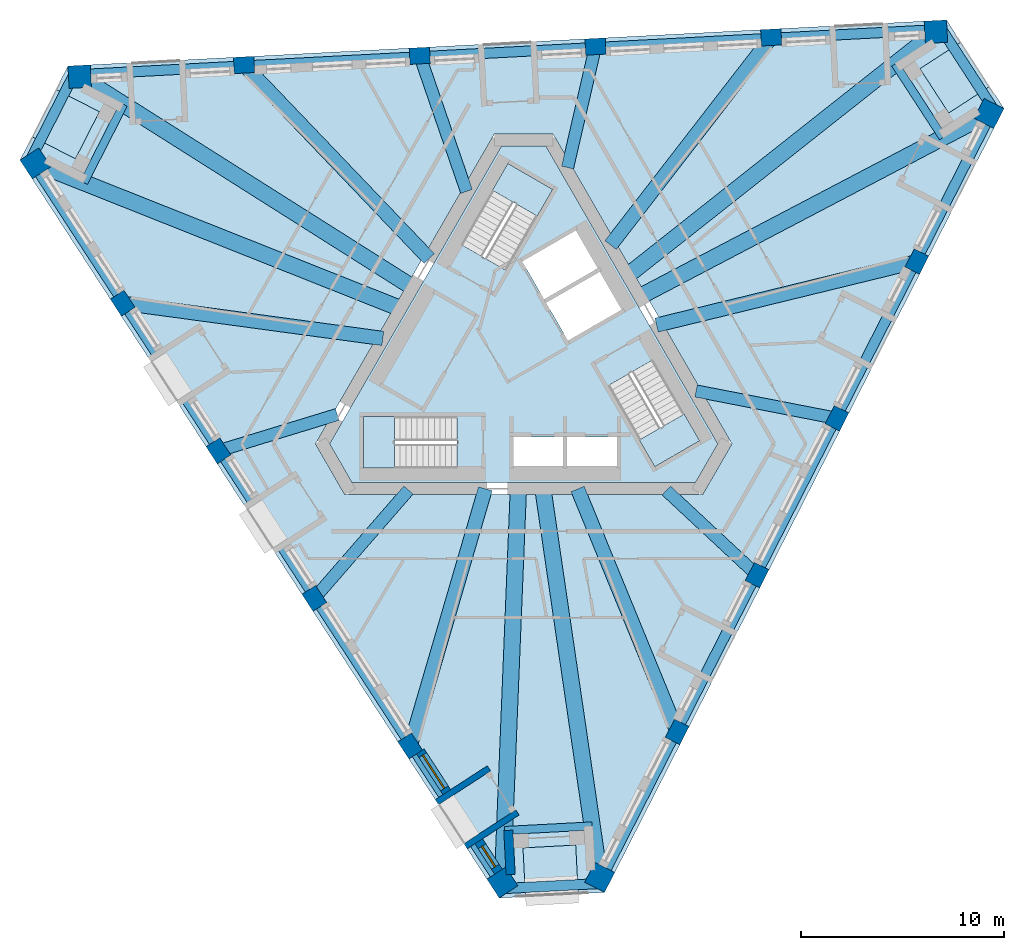
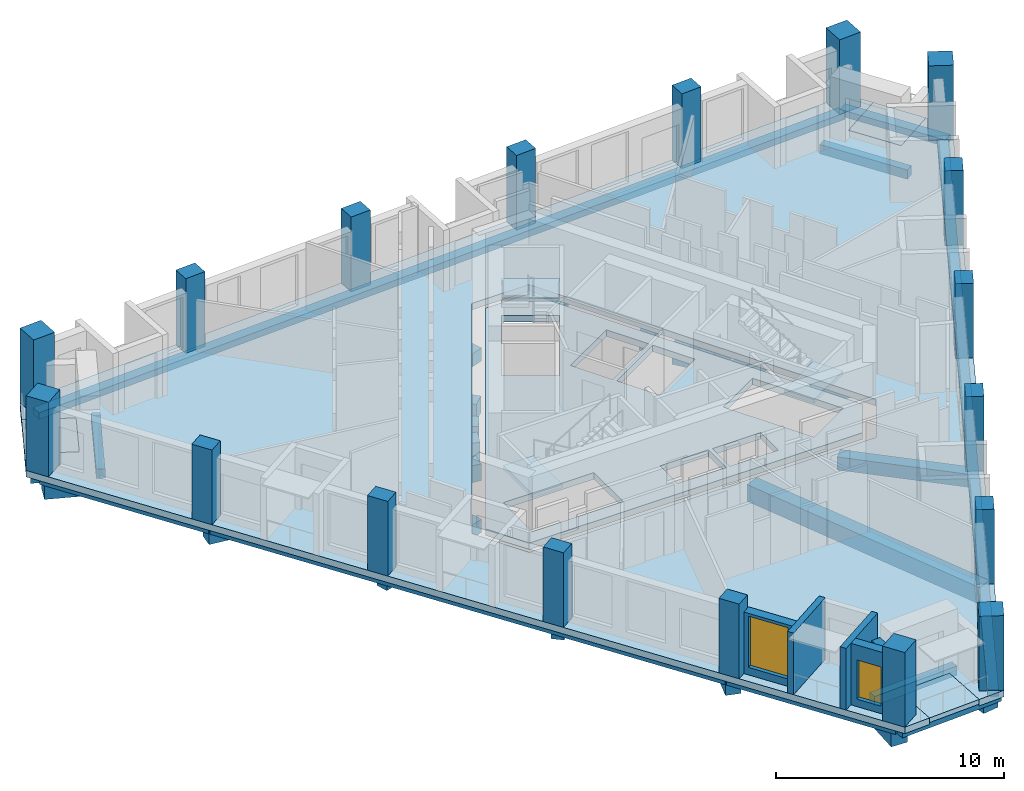
# One storey, part 1 of 12: 27 beams, 18 columns, 8 slabs, 5 walls, 2 windows, 2 openings, 3 elements without a shape of their own.
"""IFC4 building model written with IfcOpenShell, lengths in metres."""

from ifc_helpers import new_model, si_unit, direction, frame, frame_2d, origin, origin_2d, place, context, subcontext, project, spatial, polyline, rectangle, outline, extrude, material, layer, layer_set, material_profile, profile_set, type_object, element, fill, aggregate, save


model = new_model("IFC4")

# Units and contexts
model_context = context("Model", 3, precision=1e-05, world=origin(), true_north=direction((0.0, 1.0)))
body_context = subcontext(model_context, "Body", "Model", "MODEL_VIEW")
ifc_project = project(units=[si_unit("LENGTHUNIT", "METRE"), si_unit("AREAUNIT", "SQUARE_METRE"), si_unit("VOLUMEUNIT", "CUBIC_METRE"), si_unit("PLANEANGLEUNIT", "RADIAN"), si_unit("MASSUNIT", "GRAM", prefix="KILO")], contexts=[model_context])

# Site, building, storey
site_placement = place(None, origin())
site = spatial("IfcSite", under=ifc_project, at=site_placement, CompositionType="ELEMENT")
building_placement = place(site_placement, origin())
building = spatial("IfcBuilding", under=site, at=building_placement, Name="Tramontana Tower", CompositionType="ELEMENT")
storey_placement = place(building_placement, frame((0.0, 0.0, 282.39990234375)))
storey = spatial("IfcBuildingStorey", under=building, at=storey_placement, Name="L66", CompositionType="ELEMENT", Elevation=282.39990234375)

# Columns
ifc_material_1 = material(Name="Concrete 55 MPa", Category="concrete")
ifc_material_profile_1 = material_profile(ifc_material_1, rectangle(XDim=1.10009765625, YDim=1.10009765625, at=origin_2d()), Name="Mega column 1100X1100 55 MPa")
ifc_profile_set_1 = profile_set([ifc_material_profile_1], Name="Concrete 55 MPa")
column_type_1 = type_object("IfcColumnType", Name="Mega column 1100X1100 55 MPa", PredefinedType="COLUMN", material=ifc_profile_set_1)
for number, where, z_axis, x_axis, name in (
    (1, (-24.0302734375, 9.55419921875, 0.0), (0.0, 0.0, 1.0), (0.544639035015, -0.838670567945, 0.0), "Mega column C7K1 L66"),
    (2, (-1.0458984375, -25.8388671875, 0.0), (0.0, 0.0, 1.0), (0.544639035015, -0.838670567945, 0.0), "Mega column C7K2 L66"),
    (3, (3.740966796875, -25.587890625, 0.0), (0.0, 0.0, 1.0), (0.45399049974, 0.891006524188, 0.0), "Mega column C7K3 L66"),
    (4, (22.900146484375, 12.013671875, 0.0), (0.0, 0.0, 1.0), (0.45399049974, 0.891006524188, 0.0), "Mega column C7K4 L66"),
    (5, (20.289306640625, 16.033935546875, 0.0), (0.0, 0.0, 1.0), (-0.998629534755, -0.052335956243, 0.0), "Mega column C7K5 L66"),
    (6, (-21.854248046875, 13.8251953125, 0.0), (0.0, 0.0, 1.0), (-0.998629534755, -0.052335956243, 0.0), "Mega column C7K6 L66"),
):
    element("IfcColumn", number, at=place(storey_placement, frame(where, z_axis=z_axis, x_axis=x_axis)), inside=storey, type_object=column_type_1, Name=name, PredefinedType="COLUMN", context=body_context, shape_type="SweptSolid", body=[
        extrude(rectangle(XDim=1.10009765625, YDim=1.10009765625, at=origin_2d()), origin(), (0.0, 0.0, 1.0), 4.0),
    ])
ifc_material_2 = material(Name="Concrete 55 MPa", Category="concrete")
ifc_material_profile_2 = material_profile(ifc_material_2, rectangle(XDim=1.0, YDim=0.800048828125, at=origin_2d()), Name="Pier column 1000X800 55 MPa")
ifc_profile_set_2 = profile_set([ifc_material_profile_2], Name="Concrete 55 MPa")
column_type_2 = type_object("IfcColumnType", Name="Pier column 1000X800 55 MPa", PredefinedType="COLUMN", material=ifc_profile_set_2)
for number, where, z_axis, x_axis, name in (
    (7, (-19.739013671875, 2.670654296875, 0.0), (0.0, 0.0, 1.0), (0.544639035015, -0.838670567945, 0.0), "Pier column C7F01 L66"),
    (8, (-15.022216796875, -4.592529296875, 0.0), (0.0, 0.0, 1.0), (0.544639035015, -0.838670567945, 0.0), "Pier column C7F02 L66"),
    (9, (-10.3056640625, -11.855712890625, 0.0), (0.0, 0.0, 1.0), (0.544639035015, -0.838670567945, 0.0), "Pier column C7F03 L66"),
    (10, (-5.5888671875, -19.11865234375, 0.0), (0.0, 0.0, 1.0), (0.544639035015, -0.838670567945, 0.0), "Pier column C7F04 L66"),
    (11, (7.556640625, -18.4296875, 0.0), (0.0, 0.0, 1.0), (0.45399049974, 0.891006524188, 0.0), "Pier column C7F05 L66"),
    (12, (11.48828125, -10.71337890625, 0.0), (0.0, 0.0, 1.0), (0.45399049974, 0.891006524188, 0.0), "Pier column C7F06 L66"),
    (13, (15.419921875, -2.9970703125, 0.0), (0.0, 0.0, 1.0), (0.45399049974, 0.891006524188, 0.0), "Pier column C7F07 L66"),
    (14, (19.351806640625, 4.71923828125, 0.0), (0.0, 0.0, 1.0), (0.45399049974, 0.891006524188, 0.0), "Pier column C7F08 L66"),
    (15, (12.182373046875, 15.75927734375, 0.0), (0.0, 0.0, 1.0), (-0.998629534755, -0.052335956243, 0.0), "Pier column C7F09 L66"),
    (16, (3.533935546875, 15.305908203125, 0.0), (0.0, 0.0, 1.0), (-0.998629534755, -0.052335956243, 0.0), "Pier column C7F10 L66"),
    (17, (-5.114501953125, 14.852783203125, 0.0), (0.0, 0.0, 1.0), (-0.998629534755, -0.052335956243, 0.0), "Pier column C7F11 L66"),
    (18, (-13.762939453125, 14.3994140625, 0.0), (0.0, 0.0, 1.0), (-0.998629534755, -0.052335956243, 0.0), "Pier column C7F12 L66"),
):
    element("IfcColumn", number, at=place(storey_placement, frame(where, z_axis=z_axis, x_axis=x_axis)), inside=storey, type_object=column_type_2, Name=name, PredefinedType="COLUMN", context=body_context, shape_type="SweptSolid", body=[
        extrude(rectangle(XDim=1.0, YDim=0.800048828125, at=origin_2d()), origin(), (0.0, 0.0, 1.0), 4.0),
    ])

# Beams
ifc_material_3 = material(Name="Concrete 40 MPa", Category="concrete")
ifc_material_profile_3 = material_profile(ifc_material_3, rectangle(XDim=0.5, YDim=0.35009765625, at=origin_2d()), Name="RC EDGE BEAM 500X350 40 MPa")
ifc_profile_set_3 = profile_set([ifc_material_profile_3], Name="Concrete 40 MPa")
beam_type_1 = type_object("IfcBeamType", Name="RC EDGE BEAM 500X350 40 MPa", PredefinedType="SPANDREL", material=ifc_profile_set_3)
beam_1_placement = place(storey_placement, frame((-24.1142578125, 9.499755859375, -0.52490234375), z_axis=(0.544636517119, -0.838672203081, 0.0), x_axis=(0.838672203081, 0.544636517119, 0.0)))
element("IfcBeam", 19, at=beam_1_placement, inside=storey, type_object=beam_type_1, Name="Spandrel beam S0 L66", PredefinedType="SPANDREL", context=body_context, shape_type="SweptSolid", body=[
    extrude(rectangle(XDim=0.5, YDim=0.35009765625, at=origin_2d()), origin(), (0.0, 0.0, 1.0), 42.201416015625),
])
beam_2_placement = place(storey_placement, frame((3.830078125, -25.63330078125, -0.52490234375), z_axis=(0.453990170761, 0.891006691811, 0.0), x_axis=(-0.891006691811, 0.453990170761, 0.0)))
element("IfcBeam", 20, at=beam_2_placement, inside=storey, type_object=beam_type_1, Name="Spandrel beam S1 L66", PredefinedType="SPANDREL", context=body_context, shape_type="SweptSolid", body=[
    extrude(rectangle(XDim=0.5, YDim=0.35009765625, at=origin_2d()), origin(), (0.0, 0.0, 1.0), 42.201171875),
])
beam_3_placement = place(storey_placement, frame((20.2841796875, 16.1337890625, -0.52490234375), z_axis=(-0.998629423141, -0.052338085918, 0.0), x_axis=(0.052338085918, -0.998629423141, 0.0)))
element("IfcBeam", 21, at=beam_3_placement, inside=storey, type_object=beam_type_1, Name="Spandrel beam S2 L66", PredefinedType="SPANDREL", context=body_context, shape_type="SweptSolid", body=[
    extrude(rectangle(XDim=0.5, YDim=0.35009765625, at=origin_2d()), origin(), (0.0, 0.0, 1.0), 42.201416015625),
])
for number, where, z_axis, x_axis, name in (
    (22, (-22.03125, 14.141357421875, -0.52490234375), (-0.453966603753, -0.891018699398, 0.0), (0.891018699398, -0.453966603753, 0.0), "Spandrel beam K0 L66"),
    (23, (-1.231201171875, -26.150390625, -0.52490234375), (0.99862935635, 0.05233936029, 0.0), (-0.05233936029, 0.99862935635, 0.0), "Spandrel beam K1 L66"),
    (24, (23.262451171875, 12.0087890625, -0.52490234375), (-0.544641495757, 0.838668969916, 0.0), (-0.838668969916, -0.544641495757, 0.0), "Spandrel beam K2 L66"),
):
    element("IfcBeam", number, at=place(storey_placement, frame(where, z_axis=z_axis, x_axis=x_axis)), inside=storey, type_object=beam_type_1, Name=name, PredefinedType="SPANDREL", context=body_context, shape_type="SweptSolid", body=[
        extrude(rectangle(XDim=0.5, YDim=0.35009765625, at=origin_2d()), origin(), (0.0, 0.0, 1.0), 5.1962890625),
    ])
ifc_material_4 = material(Name="Concrete 40 MPa", Category="concrete")
ifc_material_profile_4 = material_profile(ifc_material_4, rectangle(XDim=0.60009765625, YDim=0.699951171875, at=origin_2d()), Name="RC GIRDER 600X700 40 MPa")
ifc_profile_set_4 = profile_set([ifc_material_profile_4], Name="Concrete 40 MPa")
beam_type_2 = type_object("IfcBeamType", Name="RC GIRDER 600X700 40 MPa", PredefinedType="BEAM", material=ifc_profile_set_4)
beam_4_placement = place(storey_placement, frame((-15.022216796875, -4.592529296875, -0.699951171875), z_axis=(0.956311245936, 0.292350476137, 0.0), x_axis=(-0.292350476137, 0.956311245936, 0.0)))
element("IfcBeam", 25, at=beam_4_placement, inside=storey, type_object=beam_type_2, Name="Radial girder C7F02 L66", PredefinedType="BEAM", context=body_context, shape_type="SweptSolid", body=[
    extrude(rectangle(XDim=0.60009765625, YDim=0.699951171875, at=origin_2d()), origin(), (0.0, 0.0, 1.0), 6.111328125),
])
beam_5_placement = place(storey_placement, frame((-10.3056640625, -11.855712890625, -0.699951171875), z_axis=(0.656054652409, 0.754713384705, 0.0), x_axis=(-0.754713384705, 0.656054652409, 0.0)))
element("IfcBeam", 26, at=beam_5_placement, inside=storey, type_object=beam_type_2, Name="Radial girder C7F03 L66", PredefinedType="BEAM", context=body_context, shape_type="SweptSolid", body=[
    extrude(rectangle(XDim=0.60009765625, YDim=0.699951171875, at=origin_2d()), origin(), (0.0, 0.0, 1.0), 7.06494140625),
])
beam_6_placement = place(storey_placement, frame((11.48828125, -10.71337890625, -0.699951171875), z_axis=(-0.731344808312, 0.682007896843, 0.0), x_axis=(-0.682007896843, -0.731344808312, 0.0)))
element("IfcBeam", 27, at=beam_6_placement, inside=storey, type_object=beam_type_2, Name="Radial girder C7F06 L66", PredefinedType="BEAM", context=body_context, shape_type="SweptSolid", body=[
    extrude(rectangle(XDim=0.60009765625, YDim=0.699951171875, at=origin_2d()), origin(), (0.0, 0.0, 1.0), 6.111328125),
])
beam_7_placement = place(storey_placement, frame((15.419921875, -2.9970703125, -0.699951171875), z_axis=(-0.981630853668, 0.190790112761, 0.0), x_axis=(-0.190790112761, -0.981630853668, 0.0)))
element("IfcBeam", 28, at=beam_7_placement, inside=storey, type_object=beam_type_2, Name="Radial girder C7F07 L66", PredefinedType="BEAM", context=body_context, shape_type="SweptSolid", body=[
    extrude(rectangle(XDim=0.60009765625, YDim=0.699951171875, at=origin_2d()), origin(), (0.0, 0.0, 1.0), 7.06494140625),
])
beam_8_placement = place(storey_placement, frame((3.533935546875, 15.305908203125, -0.699951171875), z_axis=(-0.224955788451, -0.974368971818, 0.0), x_axis=(0.974368971818, -0.224955788451, 0.0)))
element("IfcBeam", 29, at=beam_8_placement, inside=storey, type_object=beam_type_2, Name="Radial girder C7F10 L66", PredefinedType="BEAM", context=body_context, shape_type="SweptSolid", body=[
    extrude(rectangle(XDim=0.60009765625, YDim=0.699951171875, at=origin_2d()), origin(), (0.0, 0.0, 1.0), 6.111328125),
])
beam_9_placement = place(storey_placement, frame((-5.114501953125, 14.852783203125, -0.699951171875), z_axis=(0.325583843266, -0.945513173364, 0.0), x_axis=(0.945513173364, 0.325583843266, 0.0)))
element("IfcBeam", 30, at=beam_9_placement, inside=storey, type_object=beam_type_2, Name="Radial girder C7F11 L66", PredefinedType="BEAM", context=body_context, shape_type="SweptSolid", body=[
    extrude(rectangle(XDim=0.60009765625, YDim=0.699951171875, at=origin_2d()), origin(), (0.0, 0.0, 1.0), 7.065185546875),
])
ifc_material_5 = material(Name="Concrete 40 MPa", Category="concrete")
ifc_material_profile_5 = material_profile(ifc_material_5, rectangle(XDim=0.699951171875, YDim=0.89990234375, at=origin_2d()), Name="RC GIRDER 700X900 40 MPa")
ifc_profile_set_5 = profile_set([ifc_material_profile_5], Name="Concrete 40 MPa")
beam_type_3 = type_object("IfcBeamType", Name="RC GIRDER 700X900 40 MPa", PredefinedType="BEAM", material=ifc_profile_set_5)
beam_10_placement = place(storey_placement, frame((-19.739013671875, 2.670654296875, -0.7998046875), z_axis=(0.990971820042, -0.134070324396, 0.0), x_axis=(0.134070324396, 0.990971820042, 0.0)))
element("IfcBeam", 31, at=beam_10_placement, inside=storey, type_object=beam_type_3, Name="Radial girder C7F01 L66", PredefinedType="BEAM", context=body_context, shape_type="SweptSolid", body=[
    extrude(rectangle(XDim=0.699951171875, YDim=0.89990234375, at=origin_2d()), origin(), (0.0, 0.0, 1.0), 12.923583984375),
])
beam_11_placement = place(storey_placement, frame((-5.5888671875, -19.11865234375, -0.7998046875), z_axis=(0.280592184152, 0.959827081402, 0.0), x_axis=(-0.959827081402, 0.280592184152, 0.0)))
element("IfcBeam", 32, at=beam_11_placement, inside=storey, type_object=beam_type_3, Name="Radial girder C7F04 L66", PredefinedType="BEAM", context=body_context, shape_type="SweptSolid", body=[
    extrude(rectangle(XDim=0.699951171875, YDim=0.89990234375, at=origin_2d()), origin(), (0.0, 0.0, 1.0), 13.186279296875),
])
beam_12_placement = place(storey_placement, frame((7.556640625, -18.4296875, -0.7998046875), z_axis=(-0.379376408021, 0.925242422848, 0.0), x_axis=(-0.925242422848, -0.379376408021, 0.0)))
element("IfcBeam", 33, at=beam_12_placement, inside=storey, type_object=beam_type_3, Name="Radial girder C7F05 L66", PredefinedType="BEAM", context=body_context, shape_type="SweptSolid", body=[
    extrude(rectangle(XDim=0.699951171875, YDim=0.89990234375, at=origin_2d()), origin(), (0.0, 0.0, 1.0), 12.92333984375),
])
beam_13_placement = place(storey_placement, frame((19.351806640625, 4.71923828125, -0.7998046875), z_axis=(-0.971531149173, -0.2369118532, 0.0), x_axis=(0.2369118532, -0.971531149173, 0.0)))
element("IfcBeam", 34, at=beam_13_placement, inside=storey, type_object=beam_type_3, Name="Radial girder C7F08 L66", PredefinedType="BEAM", context=body_context, shape_type="SweptSolid", body=[
    extrude(rectangle(XDim=0.699951171875, YDim=0.89990234375, at=origin_2d()), origin(), (0.0, 0.0, 1.0), 13.1865234375),
])
beam_14_placement = place(storey_placement, frame((12.182373046875, 15.75927734375, -0.7998046875), z_axis=(-0.611594268049, -0.791171568808, 0.0), x_axis=(0.791171568808, -0.611594268049, 0.0)))
element("IfcBeam", 35, at=beam_14_placement, inside=storey, type_object=beam_type_3, Name="Radial girder C7F09 L66", PredefinedType="BEAM", context=body_context, shape_type="SweptSolid", body=[
    extrude(rectangle(XDim=0.699951171875, YDim=0.89990234375, at=origin_2d()), origin(), (0.0, 0.0, 1.0), 12.923583984375),
])
beam_15_placement = place(storey_placement, frame((-13.762939453125, 14.3994140625, -0.7998046875), z_axis=(0.69094809316, -0.722904373039, 0.0), x_axis=(0.722904373039, 0.69094809316, 0.0)))
element("IfcBeam", 36, at=beam_15_placement, inside=storey, type_object=beam_type_3, Name="Radial girder C7F12 L66", PredefinedType="BEAM", context=body_context, shape_type="SweptSolid", body=[
    extrude(rectangle(XDim=0.699951171875, YDim=0.89990234375, at=origin_2d()), origin(), (0.0, 0.0, 1.0), 13.186279296875),
])
ifc_material_6 = material(Name="Concrete 40 MPa", Category="concrete")
ifc_material_profile_6 = material_profile(ifc_material_6, rectangle(XDim=0.800048828125, YDim=1.10009765625, at=origin_2d()), Name="RC GIRDER 800X1100 40 MPa")
ifc_profile_set_6 = profile_set([ifc_material_profile_6], Name="Concrete 40 MPa")
beam_type_4 = type_object("IfcBeamType", Name="RC GIRDER 800X1100 40 MPa", PredefinedType="BEAM", material=ifc_profile_set_6)
beam_16_placement = place(storey_placement, frame((-24.030517578125, 9.55419921875, -0.89990234375), z_axis=(0.929246961318, -0.369459178912, 0.0), x_axis=(0.369459178912, 0.929246961318, 0.0)))
element("IfcBeam", 37, at=beam_16_placement, inside=storey, type_object=beam_type_4, Name="Radial girder C7K1 L66", PredefinedType="BEAM", context=body_context, shape_type="SweptSolid", body=[
    extrude(rectangle(XDim=0.800048828125, YDim=1.10009765625, at=origin_2d()), origin(), (0.0, 0.0, 1.0), 19.33837890625),
])
beam_17_placement = place(storey_placement, frame((-1.0458984375, -25.8388671875, -0.89990234375), z_axis=(0.040449893492, 0.999181568143, 0.0), x_axis=(-0.999181568143, 0.040449893492, 0.0)))
element("IfcBeam", 38, at=beam_17_placement, inside=storey, type_object=beam_type_4, Name="Radial girder C7K2 L66", PredefinedType="BEAM", context=body_context, shape_type="SweptSolid", body=[
    extrude(rectangle(XDim=0.800048828125, YDim=1.10009765625, at=origin_2d()), origin(), (0.0, 0.0, 1.0), 19.404541015625),
])
beam_18_placement = place(storey_placement, frame((3.7412109375, -25.587890625, -0.89990234375), z_axis=(-0.144667438406, 0.989480334451, 0.0), x_axis=(-0.989480334451, -0.144667438406, 0.0)))
element("IfcBeam", 39, at=beam_18_placement, inside=storey, type_object=beam_type_4, Name="Radial girder C7K3 L66", PredefinedType="BEAM", context=body_context, shape_type="SweptSolid", body=[
    extrude(rectangle(XDim=0.800048828125, YDim=1.10009765625, at=origin_2d()), origin(), (0.0, 0.0, 1.0), 19.338134765625),
])
beam_19_placement = place(storey_placement, frame((22.89990234375, 12.013671875, -0.89990234375), z_axis=(-0.885538061337, -0.46456683257, 0.0), x_axis=(0.46456683257, -0.885538061337, 0.0)))
element("IfcBeam", 40, at=beam_19_placement, inside=storey, type_object=beam_type_4, Name="Radial girder C7K4 L66", PredefinedType="BEAM", context=body_context, shape_type="SweptSolid", body=[
    extrude(rectangle(XDim=0.800048828125, YDim=1.10009765625, at=origin_2d()), origin(), (0.0, 0.0, 1.0), 19.404296875),
])
beam_20_placement = place(storey_placement, frame((20.289306640625, 16.03369140625, -0.89990234375), z_axis=(-0.784585689125, -0.620020400003, 0.0), x_axis=(0.620020400003, -0.784585689125, 0.0)))
element("IfcBeam", 41, at=beam_20_placement, inside=storey, type_object=beam_type_4, Name="Radial girder C7K5 L66", PredefinedType="BEAM", context=body_context, shape_type="SweptSolid", body=[
    extrude(rectangle(XDim=0.800048828125, YDim=1.10009765625, at=origin_2d()), origin(), (0.0, 0.0, 1.0), 19.338134765625),
])
beam_21_placement = place(storey_placement, frame((-21.85400390625, 13.8251953125, -0.89990234375), z_axis=(0.845090437102, -0.53462337502, 0.0), x_axis=(0.53462337502, 0.845090437102, 0.0)))
element("IfcBeam", 42, at=beam_21_placement, inside=storey, type_object=beam_type_4, Name="Radial girder C7K6 L66", PredefinedType="BEAM", context=body_context, shape_type="SweptSolid", body=[
    extrude(rectangle(XDim=0.800048828125, YDim=1.10009765625, at=origin_2d()), origin(), (0.0, 0.0, 1.0), 19.404296875),
])
ifc_material_7 = material(Name="Concrete 40 MPa", Category="concrete")
ifc_material_profile_7 = material_profile(ifc_material_7, rectangle(XDim=0.39990234375, YDim=0.5, at=origin_2d()), Name="RC TRIM BEAM 400X500 40 MPa")
ifc_profile_set_7 = profile_set([ifc_material_profile_7], Name="Concrete 40 MPa")
beam_type_5 = type_object("IfcBeamType", Name="RC TRIM BEAM 400X500 40 MPa", PredefinedType="JOIST", material=ifc_profile_set_7)
for number, where, z_axis, x_axis, name in (
    (43, (-19.69091796875, 12.456787109375, -0.599853515625), (-0.454006220993, -0.890998513635, 0.0), (0.890998513635, -0.454006220993, 0.0), "Trimmer beam K0 L66"),
    (44, (-0.9423828125, -23.28125, -0.599853515625), (0.998629204559, 0.052342256377, 0.0), (-0.052342256377, 0.998629204559, 0.0), "Trimmer beam K1 L66"),
    (45, (20.63330078125, 10.824462890625, -0.599853515625), (-0.544628679426, 0.838677292853, 0.0), (-0.838677292853, -0.544628679426, 0.0), "Trimmer beam K2 L66"),
):
    element("IfcBeam", number, at=place(storey_placement, frame(where, z_axis=z_axis, x_axis=x_axis)), inside=storey, type_object=beam_type_5, Name=name, PredefinedType="JOIST", context=body_context, shape_type="SweptSolid", body=[
        extrude(rectangle(XDim=0.39990234375, YDim=0.5, at=origin_2d()), origin(), (0.0, 0.0, 1.0), 4.319091796875),
    ])

# Slabs
ifc_material_8 = material(Name="Precast concrete 50 MPa", Category="concrete")
ifc_layer_1 = layer(ifc_material_8, 0.25)
ifc_layer_set_1 = layer_set([ifc_layer_1], Name="LT1 Loggia floor tray 250")
slab_type_1 = type_object("IfcSlabType", Name="LT1 Loggia floor tray 250", PredefinedType="FLOOR", material=ifc_layer_set_1)
slab_1_placement = place(storey_placement, frame((0.0, 0.0, -0.25)))
element("IfcSlab", 46, at=slab_1_placement, inside=storey, type_object=slab_type_1, Name="Corner loggia floor L66 K70", PredefinedType="FLOOR", context=body_context, shape_type="SweptSolid", body=[
    extrude(outline(polyline([(-23.021484375, 13.18896484375), (-20.883056640625, 12.099365234375), (-22.0634765625, 9.782958984375), (-24.201904296875, 10.87255859375), (-23.021484375, 13.18896484375)])), origin(), (0.0, 0.0, 1.0), 0.25),
])
slab_2_placement = place(storey_placement, frame((0.0, 0.0, -0.25)))
element("IfcSlab", 47, at=slab_2_placement, inside=storey, type_object=slab_type_1, Name="Corner loggia floor L66 K71", PredefinedType="FLOOR", context=body_context, shape_type="SweptSolid", body=[
    extrude(outline(polyline([(0.088623046875, -26.53173828125), (-0.036865234375, -24.135009765625), (2.5595703125, -23.9990234375), (2.68505859375, -26.395751953125), (0.088623046875, -26.53173828125)])), origin(), (0.0, 0.0, 1.0), 0.25),
])
slab_3_placement = place(storey_placement, frame((0.0, 0.0, -0.25)))
element("IfcSlab", 48, at=slab_3_placement, inside=storey, type_object=slab_type_1, Name="Corner loggia floor L66 K72", PredefinedType="FLOOR", context=body_context, shape_type="SweptSolid", body=[
    extrude(outline(polyline([(22.932861328125, 13.3427734375), (20.919921875, 12.03564453125), (19.50390625, 14.216064453125), (21.516845703125, 15.523193359375), (22.932861328125, 13.3427734375)])), origin(), (0.0, 0.0, 1.0), 0.25),
])
ifc_material_9 = material(Name="Concrete 40 MPa", Category="concrete")
ifc_layer_2 = layer(ifc_material_9, 0.35009765625)
ifc_layer_set_2 = layer_set([ifc_layer_2], Name="PT FLAT SLAB 350 40 MPa")
slab_type_2 = type_object("IfcSlabType", Name="PT FLAT SLAB 350 40 MPa", PredefinedType="FLOOR", material=ifc_layer_set_2)
slab_4_placement = place(storey_placement, frame((0.0, 0.0, -0.349853515625)))
element("IfcSlab", 49, at=slab_4_placement, inside=storey, type_object=slab_type_2, Name="Floor slab L66", PredefinedType="FLOOR", context=body_context, shape_type="SweptSolid", body=[
    extrude(outline(polyline([(21.5166015625, 15.523193359375), (19.50390625, 14.216064453125), (20.919921875, 12.035400390625), (22.932861328125, 13.3427734375), (23.639892578125, 12.25390625), (3.9814453125, -26.32763671875), (2.68505859375, -26.3955078125), (2.5595703125, -23.998779296875), (-0.036865234375, -24.135009765625), (0.088623046875, -26.53173828125), (-1.20751953125, -26.599609375), (-24.791259765625, 9.7158203125), (-24.201904296875, 10.872314453125), (-22.0634765625, 9.782958984375), (-20.883056640625, 12.099609375), (-23.021484375, 13.189208984375), (-22.43212890625, 14.345703125), (20.809814453125, 16.61181640625), (21.5166015625, 15.523193359375)]), holes=[polyline([(-10.248046875, -4.25), (-8.8046875, -6.75), (8.8046875, -6.75), (10.248046875, -4.25), (1.443359375, 11.0), (-1.443359375, 11.0), (-10.248046875, -4.25)])]), origin(), (0.0, 0.0, 1.0), 0.349853515625),
])
slab_5_placement = place(storey_placement, frame((0.0, 0.0, -0.349853515625)))
element("IfcSlab", 50, at=slab_5_placement, inside=storey, type_object=slab_type_2, Name="Core floor slab L66", PredefinedType="FLOOR", context=body_context, shape_type="SweptSolid", body=[
    extrude(outline(polyline([(9.55517578125, -4.25), (8.458251953125, -6.14990234375), (-8.458251953125, -6.14990234375), (-9.55517578125, -4.25), (-1.096923828125, 10.39990234375), (1.096923828125, 10.39990234375), (9.55517578125, -4.25)]), holes=[polyline([(8.659912109375, -4.099365234375), (6.35986328125, -0.115478515625), (4.151611328125, -1.390625), (6.451416015625, -5.374267578125), (8.659912109375, -4.099365234375)]), polyline([(3.829833984375, 4.2666015625), (1.101806640625, 2.69140625), (2.177001953125, 0.82958984375), (4.90478515625, 2.404541015625), (3.829833984375, 4.2666015625)]), polyline([(4.590087890625, -3.89990234375), (2.139892578125, -3.89990234375), (2.139892578125, -5.449951171875), (4.590087890625, -5.449951171875), (4.590087890625, -3.89990234375)]), polyline([(2.65478515625, 6.3017578125), (-0.072998046875, 4.726806640625), (1.001953125, 2.86474609375), (3.729736328125, 4.439697265625), (2.65478515625, 6.3017578125)]), polyline([(1.93994140625, -5.449951171875), (1.93994140625, -3.89990234375), (-0.510009765625, -3.89990234375), (-0.510009765625, -5.449951171875), (1.93994140625, -5.449951171875)]), polyline([(-0.77978515625, 9.54931640625), (-3.079833984375, 5.565673828125), (-0.87158203125, 4.29052734375), (1.428466796875, 8.2744140625), (-0.77978515625, 9.54931640625)]), polyline([(-7.8798828125, -5.449951171875), (-3.280029296875, -5.449951171875), (-3.280029296875, -2.89990234375), (-7.8798828125, -2.89990234375), (-7.8798828125, -5.449951171875)])]), origin(), (0.0, 0.0, 1.0), 0.349853515625),
])

# Stair, slab
ifc_material_10 = material(Name="Concrete 40 MPa", Category="concrete")
stair_type = type_object("IfcStairType", Name="EXIT STAIR 24 RISERS", PredefinedType="HALF_TURN_STAIR", material=ifc_material_10)
stair_1_placement = place(storey_placement, origin())
stair_1 = element("IfcStair", 51, at=stair_1_placement, inside=storey, type_object=stair_type, Name="L66 Exit stair ST1", PredefinedType="HALF_TURN_STAIR")
ifc_material_11 = material(Name="Concrete 40 MPa", Category="concrete")
ifc_layer_3 = layer(ifc_material_11, 0.199951171875)
ifc_layer_set_3 = layer_set([ifc_layer_3], Name="STAIR LANDING 200")
slab_type_3 = type_object("IfcSlabType", Name="STAIR LANDING 200", PredefinedType="LANDING", material=ifc_layer_set_3)
slab_6_placement = place(storey_placement, frame((0.0, 0.0, 1.800048828125)))
slab_6 = element("IfcSlab", 52, at=slab_6_placement, type_object=slab_type_3, Name="ST1 landing 1", PredefinedType="LANDING", context=body_context, shape_type="SweptSolid", body=[
    extrude(outline(polyline([(0.66845703125, 6.9580078125), (1.428466796875, 8.274169921875), (-0.77978515625, 9.54931640625), (-1.539794921875, 8.23291015625), (0.66845703125, 6.9580078125)])), origin(), (0.0, 0.0, 1.0), 0.199951171875),
])
aggregate(stair_1, [slab_6])

stair_2_placement = place(storey_placement, origin())
stair_2 = element("IfcStair", 53, at=stair_2_placement, inside=storey, type_object=stair_type, Name="L66 Exit stair ST2", PredefinedType="HALF_TURN_STAIR")
slab_7_placement = place(storey_placement, frame((0.0, 0.0, 1.800048828125)))
slab_7 = element("IfcSlab", 54, at=slab_7_placement, type_object=slab_type_3, Name="ST2 landing 1", PredefinedType="LANDING", context=body_context, shape_type="SweptSolid", body=[
    extrude(outline(polyline([(-6.360107421875, -2.89990234375), (-7.8798828125, -2.89990234375), (-7.8798828125, -5.449951171875), (-6.360107421875, -5.449951171875), (-6.360107421875, -2.89990234375)])), origin(), (0.0, 0.0, 1.0), 0.199951171875),
])
aggregate(stair_2, [slab_7])

stair_3_placement = place(storey_placement, origin())
stair_3 = element("IfcStair", 55, at=stair_3_placement, inside=storey, type_object=stair_type, Name="L66 Exit stair ST3", PredefinedType="HALF_TURN_STAIR")
slab_8_placement = place(storey_placement, frame((0.0, 0.0, 1.800048828125)))
slab_8 = element("IfcSlab", 56, at=slab_8_placement, type_object=slab_type_3, Name="ST3 landing 1", PredefinedType="LANDING", context=body_context, shape_type="SweptSolid", body=[
    extrude(outline(polyline([(5.69140625, -4.057861328125), (6.451416015625, -5.374267578125), (8.659912109375, -4.099365234375), (7.89990234375, -2.782958984375), (5.69140625, -4.057861328125)])), origin(), (0.0, 0.0, 1.0), 0.199951171875),
])
aggregate(stair_3, [slab_8])

# Wall, opening, window
ifc_material_12 = material(Name="Precast concrete 60 MPa", Category="concrete")
ifc_layer_4 = layer(ifc_material_12, 0.449951171875)
ifc_layer_set_4 = layer_set([ifc_layer_4], Name="Precast concrete 60 MPa, 450 mm")
wall_type_1 = type_object("IfcWallType", Name="EW1 Stone-faced precast wall 450", PredefinedType="SOLIDWALL", material=ifc_layer_set_4)
wall_1_placement = place(storey_placement, frame((-5.0859375, -19.38818359375, 0.0), z_axis=(0.0, 0.0, 1.0), x_axis=(0.544675520966, -0.838646872563, 0.0)))
wall_1 = element("IfcWall", 57, at=wall_1_placement, inside=storey, type_object=wall_type_1, Name="External wall L66 face 0 bay 5", PredefinedType="SOLIDWALL", context=body_context, shape_type="SweptSolid", body=[
    extrude(rectangle(XDim=2.38671875, YDim=0.449951171875, at=frame_2d((1.193359375, 0.0))), origin(), (0.0, 0.0, 1.0), 3.300048828125),
])
opening_1_placement = place(wall_1_placement, frame((0.21826171875, 0.0, 0.39990234375)))
opening_1 = element("IfcOpeningElement", 58, at=opening_1_placement, cuts=wall_1, Name="Opening M3", PredefinedType="OPENING", context=body_context, shape_type="SweptSolid", body=[
    extrude(rectangle(XDim=1.949951171875, YDim=2.75, at=frame_2d((0.97509765625, 1.375))), frame((0.0, 0.23486328125, 0.0), z_axis=(0.0, -1.0, 0.0), x_axis=(1.0, 0.0, 0.0)), (0.0, 0.0, 1.0), 0.469970703125),
])
ifc_material_13 = material(Name="Aluminum frame, double glazing unit", Category="aluminium")
window_type_1 = type_object("IfcWindowType", Name="M3 Window 1.95 x 2.75", PartitioningType="SINGLE_PANEL", PredefinedType="WINDOW", material=ifc_material_13)
window_1_placement = place(opening_1_placement, origin())
window_1 = element("IfcWindow", 59, at=window_1_placement, inside=storey, type_object=window_type_1, Name="Window M3 L66 face 0 module 13", OverallHeight=2.75, OverallWidth=1.949951171875, PartitioningType="SINGLE_PANEL", PredefinedType="WINDOW", context=body_context, shape_type="SweptSolid", body=[
    extrude(rectangle(XDim=1.949951171875, YDim=2.75, at=frame_2d((0.97509765625, 1.375))), frame((0.0, 0.030029296875, 0.0), z_axis=(0.0, -1.0, 0.0), x_axis=(1.0, 0.0, 0.0)), (0.0, 0.0, 1.0), 0.06005859375),
])
fill(opening_1, window_1)

wall_2_placement = place(storey_placement, frame((-2.2138671875, -23.81103515625, 0.0), z_axis=(0.0, 0.0, 1.0), x_axis=(0.544632902776, -0.838674550236, 0.0)))
wall_2 = element("IfcWall", 60, at=wall_2_placement, inside=storey, type_object=wall_type_1, Name="External wall L66 face 0 bay 5", PredefinedType="SOLIDWALL", context=body_context, shape_type="SweptSolid", body=[
    extrude(rectangle(XDim=1.786865234375, YDim=0.449951171875, at=frame_2d((0.8935546875, 0.0))), origin(), (0.0, 0.0, 1.0), 3.300048828125),
])
opening_2_placement = place(wall_2_placement, frame((0.29345703125, 0.0, 0.39990234375)))
opening_2 = element("IfcOpeningElement", 61, at=opening_2_placement, cuts=wall_2, Name="Opening N3L", PredefinedType="OPENING", context=body_context, shape_type="SweptSolid", body=[
    extrude(rectangle(XDim=1.199951171875, YDim=2.10009765625, at=frame_2d((0.60009765625, 1.050048828125))), frame((0.0, 0.23486328125, 0.0), z_axis=(0.0, -1.0, 0.0), x_axis=(1.0, 0.0, 0.0)), (0.0, 0.0, 1.0), 0.469970703125),
])
ifc_material_14 = material(Name="Aluminum frame, double glazing unit", Category="aluminium")
window_type_2 = type_object("IfcWindowType", Name="N3L Window 1.2 x 2.1", PartitioningType="SINGLE_PANEL", PredefinedType="WINDOW", material=ifc_material_14)
window_2_placement = place(opening_2_placement, origin())
window_2 = element("IfcWindow", 62, at=window_2_placement, inside=storey, type_object=window_type_2, Name="Window N3L L66 face 0 module 15", OverallHeight=2.10009765625, OverallWidth=1.199951171875, PartitioningType="SINGLE_PANEL", PredefinedType="WINDOW", context=body_context, shape_type="SweptSolid", body=[
    extrude(rectangle(XDim=1.199951171875, YDim=2.10009765625, at=frame_2d((0.60009765625, 1.050048828125))), frame((0.0, 0.030029296875, 0.0), z_axis=(0.0, -1.0, 0.0), x_axis=(1.0, 0.0, 0.0)), (0.0, 0.0, 1.0), 0.06005859375),
])
fill(opening_2, window_2)

# Walls
wall_3_placement = place(storey_placement, frame((-0.64404296875, -25.44775390625, 0.0), z_axis=(0.0, 0.0, 1.0), x_axis=(-0.052317751649, 0.998630488651, 0.0)))
element("IfcWall", 63, at=wall_3_placement, inside=storey, type_object=wall_type_1, Name="Corner loggia side wall L66 K71r", PredefinedType="SOLIDWALL", context=body_context, shape_type="SweptSolid", body=[
    extrude(rectangle(XDim=2.17919921875, YDim=0.449951171875, at=frame_2d((1.089599609375, 0.0))), origin(), (0.0, 0.0, 1.0), 2.550048828125),
])
ifc_material_15 = material(Name="Precast concrete 60 MPa", Category="concrete")
ifc_layer_5 = layer(ifc_material_15, 0.300048828125)
ifc_layer_set_5 = layer_set([ifc_layer_5], Name="LW1 Stone-faced loggia wall 300")
wall_type_2 = type_object("IfcWallType", Name="LW1 Stone-faced loggia wall 300", PredefinedType="SOLIDWALL", material=ifc_layer_set_5)
wall_4_placement = place(storey_placement, frame((-4.2705078125, -21.88330078125, 0.0), z_axis=(0.0, 0.0, 1.0), x_axis=(0.838688583525, 0.544611292451, 0.0)))
element("IfcWall", 64, at=wall_4_placement, inside=storey, type_object=wall_type_2, Name="Loggia return L66 G7S0.13a", PredefinedType="SOLIDWALL", context=body_context, shape_type="SweptSolid", body=[
    extrude(rectangle(XDim=3.050048828125, YDim=0.300048828125, at=frame_2d((1.52490234375, 0.0))), origin(), (0.0, 0.0, 1.0), 3.300048828125),
])
wall_5_placement = place(storey_placement, frame((-2.861572265625, -24.052734375, 0.0), z_axis=(0.0, 0.0, 1.0), x_axis=(0.838664840319, 0.544647854685, 0.0)))
element("IfcWall", 65, at=wall_5_placement, inside=storey, type_object=wall_type_2, Name="Loggia return L66 G7S0.13b", PredefinedType="SOLIDWALL", context=body_context, shape_type="SweptSolid", body=[
    extrude(rectangle(XDim=3.0498046875, YDim=0.300048828125, at=frame_2d((1.52490234375, 0.0))), origin(), (0.0, 0.0, 1.0), 3.300048828125),
])

save(model, "model.ifc")
